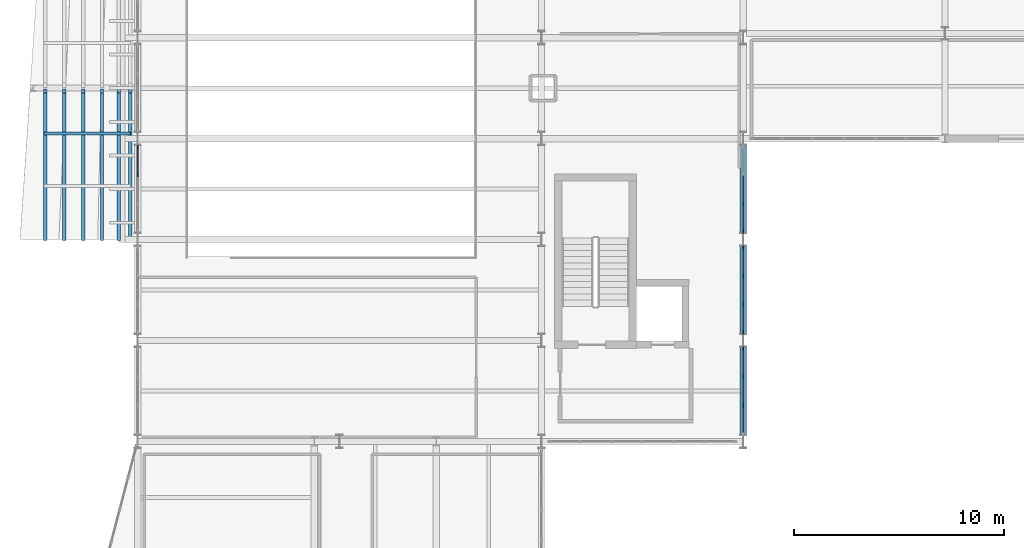
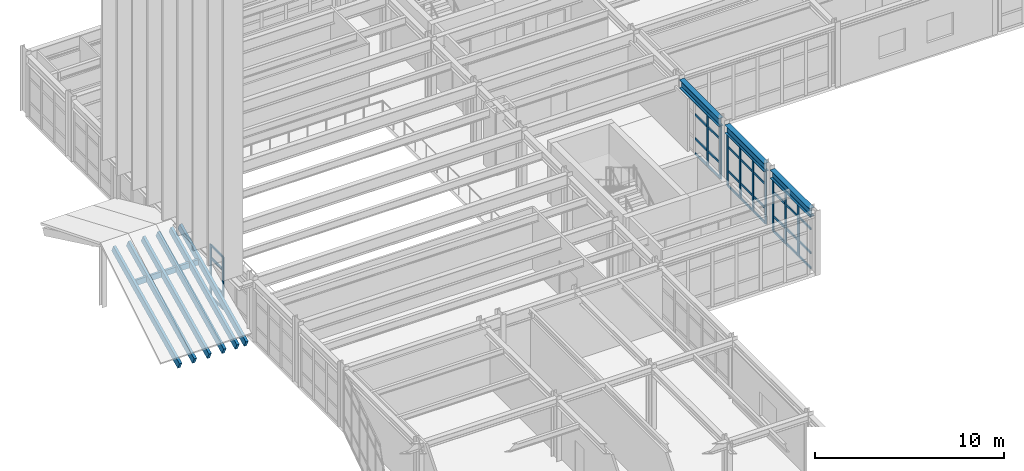
# One storey, part 41 of 99: 54 members, 3 beams, 4 elements without a shape of their own.
"""IFC4 building model written with IfcOpenShell, lengths in metres."""

from ifc_helpers import new_model, si_unit, direction, frame, origin, origin_2d, place, context, subcontext, project, spatial, rectangle, i_section, extrude, material, layer, layer_set, material_profile, profile_set, type_object, element, aggregate, save


model = new_model("IFC4")

# Units and contexts
model_context = context("Model", 3, precision=1e-05, world=origin(), true_north=direction((0.0, 1.0)))
body_context = subcontext(model_context, "Body", "Model", "MODEL_VIEW")
ifc_project = project(units=[si_unit("LENGTHUNIT", "METRE"), si_unit("AREAUNIT", "SQUARE_METRE"), si_unit("VOLUMEUNIT", "CUBIC_METRE"), si_unit("PLANEANGLEUNIT", "RADIAN"), si_unit("MASSUNIT", "GRAM", prefix="KILO")], contexts=[model_context])

# Site, building, storey
site_placement = place(None, origin())
site = spatial("IfcSite", under=ifc_project, at=site_placement, CompositionType="ELEMENT")
building_placement = place(site_placement, origin())
building = spatial("IfcBuilding", under=site, at=building_placement, Name="Nordkorset Police Headquarters", CompositionType="ELEMENT")
storey_placement = place(building_placement, frame((0.0, 0.0, 5.25)))
storey = spatial("IfcBuildingStorey", under=building, at=storey_placement, Name="L01", CompositionType="ELEMENT", Elevation=5.25)

# Curtain wall, members
ifc_material_1 = material(Name="Aluminium alloy AW-6060", Category="aluminium")
ifc_layer = layer(ifc_material_1, 0.179931640625, Name="Aluminium alloy AW-6060")
ifc_layer_set = layer_set([ifc_layer], Name="Aluminium alloy AW-6060")
curtain_wall_type = type_object("IfcCurtainWallType", Name="CW_Unit_408x340", PredefinedType="USERDEFINED", material=ifc_layer_set)
curtain_wall_1_placement = place(storey_placement, origin())
curtain_wall_1 = element("IfcCurtainWall", 1, at=curtain_wall_1_placement, inside=storey, type_object=curtain_wall_type, Name="Unitised Curtain Wall L01 V1W-2", ObjectType="UNITISED CURTAIN WALL", PredefinedType="USERDEFINED")
ifc_material_2 = material(Name="Aluminium alloy AW-6060", Category="aluminium")
ifc_material_profile_1 = material_profile(ifc_material_2, rectangle(XDim=0.06494140625, YDim=0.179931640625, at=origin_2d()), Name="ALU MULL 65x180")
ifc_profile_set_1 = profile_set([ifc_material_profile_1], Name="Aluminium alloy AW-6060")
member_type_1 = type_object("IfcMemberType", Name="CW_Mullion_65x180", PredefinedType="MULLION", material=ifc_profile_set_1)
member_1_placement = place(storey_placement, frame((0.0, 95.8798828125, 0.0), z_axis=(0.0, 0.0, 1.0), x_axis=(-1.0, 0.0, 0.0)))
member_1 = element("IfcMember", 2, at=member_1_placement, type_object=member_type_1, Name="CW-75 mullion 3", PredefinedType="MULLION", context=body_context, shape_type="SweptSolid", body=[
    extrude(rectangle(XDim=0.06494140625, YDim=0.179931640625, at=origin_2d()), origin(), (0.0, 0.0, 1.0), 3.39990234375),
])
member_2_placement = place(storey_placement, frame((0.0, 97.20751953125, 0.0), z_axis=(0.0, 0.0, 1.0), x_axis=(-1.0, 0.0, 0.0)))
member_2 = element("IfcMember", 3, at=member_2_placement, type_object=member_type_1, Name="CW-75 mullion 4", PredefinedType="MULLION", context=body_context, shape_type="SweptSolid", body=[
    extrude(rectangle(XDim=0.06494140625, YDim=0.179931640625, at=origin_2d()), origin(), (0.0, 0.0, 1.0), 3.39990234375),
])

curtain_wall_2_placement = place(storey_placement, origin())
curtain_wall_2 = element("IfcCurtainWall", 4, at=curtain_wall_2_placement, inside=storey, type_object=curtain_wall_type, Name="Unitised Curtain Wall L01 V1E-0", ObjectType="UNITISED CURTAIN WALL", PredefinedType="USERDEFINED")
member_3_placement = place(storey_placement, frame((28.800048828125, 84.919921875, 0.0), z_axis=(0.0, 0.0, 1.0), x_axis=(-1.0, 0.0, 0.0)))
member_3 = element("IfcMember", 5, at=member_3_placement, type_object=member_type_1, Name="CW-75 mullion 2", PredefinedType="MULLION", context=body_context, shape_type="SweptSolid", body=[
    extrude(rectangle(XDim=0.06494140625, YDim=0.179931640625, at=origin_2d()), origin(), (0.0, 0.0, 1.0), 3.39990234375),
])
member_4_placement = place(storey_placement, frame((28.800048828125, 86.280029296875, 0.0), z_axis=(0.0, 0.0, 1.0), x_axis=(-1.0, 0.0, 0.0)))
member_4 = element("IfcMember", 6, at=member_4_placement, type_object=member_type_1, Name="CW-75 mullion 3", PredefinedType="MULLION", context=body_context, shape_type="SweptSolid", body=[
    extrude(rectangle(XDim=0.06494140625, YDim=0.179931640625, at=origin_2d()), origin(), (0.0, 0.0, 1.0), 3.39990234375),
])
member_5_placement = place(storey_placement, frame((28.800048828125, 87.607421875, 0.0), z_axis=(0.0, 0.0, 1.0), x_axis=(-1.0, 0.0, 0.0)))
member_5 = element("IfcMember", 7, at=member_5_placement, type_object=member_type_1, Name="CW-75 mullion 4", PredefinedType="MULLION", context=body_context, shape_type="SweptSolid", body=[
    extrude(rectangle(XDim=0.06494140625, YDim=0.179931640625, at=origin_2d()), origin(), (0.0, 0.0, 1.0), 3.39990234375),
])

curtain_wall_3_placement = place(storey_placement, origin())
curtain_wall_3 = element("IfcCurtainWall", 8, at=curtain_wall_3_placement, inside=storey, type_object=curtain_wall_type, Name="Unitised Curtain Wall L01 V1E-1", ObjectType="UNITISED CURTAIN WALL", PredefinedType="USERDEFINED")
member_6_placement = place(storey_placement, frame((28.800048828125, 88.392578125, 0.0), z_axis=(0.0, 0.0, 1.0), x_axis=(-1.0, 0.0, 0.0)))
member_6 = element("IfcMember", 9, at=member_6_placement, type_object=member_type_1, Name="CW-75 mullion 1", PredefinedType="MULLION", context=body_context, shape_type="SweptSolid", body=[
    extrude(rectangle(XDim=0.06494140625, YDim=0.179931640625, at=origin_2d()), origin(), (0.0, 0.0, 1.0), 3.39990234375),
])
member_7_placement = place(storey_placement, frame((28.800048828125, 89.719970703125, 0.0), z_axis=(0.0, 0.0, 1.0), x_axis=(-1.0, 0.0, 0.0)))
member_7 = element("IfcMember", 10, at=member_7_placement, type_object=member_type_1, Name="CW-75 mullion 2", PredefinedType="MULLION", context=body_context, shape_type="SweptSolid", body=[
    extrude(rectangle(XDim=0.06494140625, YDim=0.179931640625, at=origin_2d()), origin(), (0.0, 0.0, 1.0), 3.39990234375),
])
member_8_placement = place(storey_placement, frame((28.800048828125, 91.080078125, 0.0), z_axis=(0.0, 0.0, 1.0), x_axis=(-1.0, 0.0, 0.0)))
member_8 = element("IfcMember", 11, at=member_8_placement, type_object=member_type_1, Name="CW-75 mullion 3", PredefinedType="MULLION", context=body_context, shape_type="SweptSolid", body=[
    extrude(rectangle(XDim=0.06494140625, YDim=0.179931640625, at=origin_2d()), origin(), (0.0, 0.0, 1.0), 3.39990234375),
])
member_9_placement = place(storey_placement, frame((28.800048828125, 92.407470703125, 0.0), z_axis=(0.0, 0.0, 1.0), x_axis=(-1.0, 0.0, 0.0)))
member_9 = element("IfcMember", 12, at=member_9_placement, type_object=member_type_1, Name="CW-75 mullion 4", PredefinedType="MULLION", context=body_context, shape_type="SweptSolid", body=[
    extrude(rectangle(XDim=0.06494140625, YDim=0.179931640625, at=origin_2d()), origin(), (0.0, 0.0, 1.0), 3.39990234375),
])

curtain_wall_4_placement = place(storey_placement, origin())
curtain_wall_4 = element("IfcCurtainWall", 13, at=curtain_wall_4_placement, inside=storey, type_object=curtain_wall_type, Name="Unitised Curtain Wall L01 V1E-2", ObjectType="UNITISED CURTAIN WALL", PredefinedType="USERDEFINED")
member_10_placement = place(storey_placement, frame((28.800048828125, 93.1923828125, 0.0), z_axis=(0.0, 0.0, 1.0), x_axis=(-1.0, 0.0, 0.0)))
member_10 = element("IfcMember", 14, at=member_10_placement, type_object=member_type_1, Name="CW-75 mullion 1", PredefinedType="MULLION", context=body_context, shape_type="SweptSolid", body=[
    extrude(rectangle(XDim=0.06494140625, YDim=0.179931640625, at=origin_2d()), origin(), (0.0, 0.0, 1.0), 3.39990234375),
])
member_11_placement = place(storey_placement, frame((28.800048828125, 94.52001953125, 0.0), z_axis=(0.0, 0.0, 1.0), x_axis=(-1.0, 0.0, 0.0)))
member_11 = element("IfcMember", 15, at=member_11_placement, type_object=member_type_1, Name="CW-75 mullion 2", PredefinedType="MULLION", context=body_context, shape_type="SweptSolid", body=[
    extrude(rectangle(XDim=0.06494140625, YDim=0.179931640625, at=origin_2d()), origin(), (0.0, 0.0, 1.0), 3.39990234375),
])

# Member
ifc_material_3 = material(Name="Aluminium alloy AW-6060", Category="aluminium")
ifc_material_profile_2 = material_profile(ifc_material_3, rectangle(XDim=0.06494140625, YDim=0.139892578125, at=origin_2d()), Name="ALU TRAN 65x140")
ifc_profile_set_2 = profile_set([ifc_material_profile_2], Name="Aluminium alloy AW-6060")
member_type_2 = type_object("IfcMemberType", Name="CW_Transom_65x140", PredefinedType="USERDEFINED", material=ifc_profile_set_2)
member_12_placement = place(storey_placement, frame((0.0, 95.91259765625, 0.032470703125), z_axis=(0.0, 1.0, 0.0), x_axis=(-1.0, 0.0, 0.0)))
member_12 = element("IfcMember", 16, at=member_12_placement, type_object=member_type_2, Name="CW-75 transom 3.1", ObjectType="TRANSOM", PredefinedType="USERDEFINED", context=body_context, shape_type="SweptSolid", body=[
    extrude(rectangle(XDim=0.06494140625, YDim=0.139892578125, at=origin_2d()), origin(), (0.0, 0.0, 1.0), 1.262451171875),
])

member_13_placement = place(storey_placement, frame((0.0, 95.91259765625, 1.0), z_axis=(0.0, 1.0, 0.0), x_axis=(-1.0, 0.0, 0.0)))
member_13 = element("IfcMember", 17, at=member_13_placement, type_object=member_type_2, Name="CW-75 transom 3.2", ObjectType="TRANSOM", PredefinedType="USERDEFINED", context=body_context, shape_type="SweptSolid", body=[
    extrude(rectangle(XDim=0.06494140625, YDim=0.139892578125, at=origin_2d()), origin(), (0.0, 0.0, 1.0), 1.262451171875),
])

member_14_placement = place(storey_placement, frame((0.0, 95.91259765625, 2.550048828125), z_axis=(0.0, 1.0, 0.0), x_axis=(-1.0, 0.0, 0.0)))
member_14 = element("IfcMember", 18, at=member_14_placement, type_object=member_type_2, Name="CW-75 transom 3.3", ObjectType="TRANSOM", PredefinedType="USERDEFINED", context=body_context, shape_type="SweptSolid", body=[
    extrude(rectangle(XDim=0.06494140625, YDim=0.139892578125, at=origin_2d()), origin(), (0.0, 0.0, 1.0), 1.262451171875),
])

member_15_placement = place(storey_placement, frame((0.0, 95.91259765625, 3.367431640625), z_axis=(0.0, 1.0, 0.0), x_axis=(-1.0, 0.0, 0.0)))
member_15 = element("IfcMember", 19, at=member_15_placement, type_object=member_type_2, Name="CW-75 transom 3.4", ObjectType="TRANSOM", PredefinedType="USERDEFINED", context=body_context, shape_type="SweptSolid", body=[
    extrude(rectangle(XDim=0.06494140625, YDim=0.139892578125, at=origin_2d()), origin(), (0.0, 0.0, 1.0), 1.262451171875),
])

aggregate(curtain_wall_1, [member_1, member_2, member_12, member_13, member_14, member_15])

member_16_placement = place(storey_placement, frame((28.800048828125, 83.625, 0.032470703125), z_axis=(0.0, 1.0, 0.0), x_axis=(-1.0, 0.0, 0.0)))
member_16 = element("IfcMember", 20, at=member_16_placement, type_object=member_type_2, Name="CW-75 transom 1.1", ObjectType="TRANSOM", PredefinedType="USERDEFINED", context=body_context, shape_type="SweptSolid", body=[
    extrude(rectangle(XDim=0.06494140625, YDim=0.139892578125, at=origin_2d()), origin(), (0.0, 0.0, 1.0), 1.262451171875),
])

member_17_placement = place(storey_placement, frame((28.800048828125, 83.625, 1.0), z_axis=(0.0, 1.0, 0.0), x_axis=(-1.0, 0.0, 0.0)))
member_17 = element("IfcMember", 21, at=member_17_placement, type_object=member_type_2, Name="CW-75 transom 1.2", ObjectType="TRANSOM", PredefinedType="USERDEFINED", context=body_context, shape_type="SweptSolid", body=[
    extrude(rectangle(XDim=0.06494140625, YDim=0.139892578125, at=origin_2d()), origin(), (0.0, 0.0, 1.0), 1.262451171875),
])

member_18_placement = place(storey_placement, frame((28.800048828125, 83.625, 2.550048828125), z_axis=(0.0, 1.0, 0.0), x_axis=(-1.0, 0.0, 0.0)))
member_18 = element("IfcMember", 22, at=member_18_placement, type_object=member_type_2, Name="CW-75 transom 1.3", ObjectType="TRANSOM", PredefinedType="USERDEFINED", context=body_context, shape_type="SweptSolid", body=[
    extrude(rectangle(XDim=0.06494140625, YDim=0.139892578125, at=origin_2d()), origin(), (0.0, 0.0, 1.0), 1.262451171875),
])

member_19_placement = place(storey_placement, frame((28.800048828125, 83.625, 3.367431640625), z_axis=(0.0, 1.0, 0.0), x_axis=(-1.0, 0.0, 0.0)))
member_19 = element("IfcMember", 23, at=member_19_placement, type_object=member_type_2, Name="CW-75 transom 1.4", ObjectType="TRANSOM", PredefinedType="USERDEFINED", context=body_context, shape_type="SweptSolid", body=[
    extrude(rectangle(XDim=0.06494140625, YDim=0.139892578125, at=origin_2d()), origin(), (0.0, 0.0, 1.0), 1.262451171875),
])

member_20_placement = place(storey_placement, frame((28.800048828125, 84.952392578125, 0.032470703125), z_axis=(0.0, 1.0, 0.0), x_axis=(-1.0, 0.0, 0.0)))
member_20 = element("IfcMember", 24, at=member_20_placement, type_object=member_type_2, Name="CW-75 transom 2.1", ObjectType="TRANSOM", PredefinedType="USERDEFINED", context=body_context, shape_type="SweptSolid", body=[
    extrude(rectangle(XDim=0.06494140625, YDim=0.139892578125, at=origin_2d()), origin(), (0.0, 0.0, 1.0), 1.295166015625),
])

member_21_placement = place(storey_placement, frame((28.800048828125, 84.952392578125, 1.0), z_axis=(0.0, 1.0, 0.0), x_axis=(-1.0, 0.0, 0.0)))
member_21 = element("IfcMember", 25, at=member_21_placement, type_object=member_type_2, Name="CW-75 transom 2.2", ObjectType="TRANSOM", PredefinedType="USERDEFINED", context=body_context, shape_type="SweptSolid", body=[
    extrude(rectangle(XDim=0.06494140625, YDim=0.139892578125, at=origin_2d()), origin(), (0.0, 0.0, 1.0), 1.295166015625),
])

member_22_placement = place(storey_placement, frame((28.800048828125, 84.952392578125, 2.550048828125), z_axis=(0.0, 1.0, 0.0), x_axis=(-1.0, 0.0, 0.0)))
member_22 = element("IfcMember", 26, at=member_22_placement, type_object=member_type_2, Name="CW-75 transom 2.3", ObjectType="TRANSOM", PredefinedType="USERDEFINED", context=body_context, shape_type="SweptSolid", body=[
    extrude(rectangle(XDim=0.06494140625, YDim=0.139892578125, at=origin_2d()), origin(), (0.0, 0.0, 1.0), 1.295166015625),
])

member_23_placement = place(storey_placement, frame((28.800048828125, 84.952392578125, 3.367431640625), z_axis=(0.0, 1.0, 0.0), x_axis=(-1.0, 0.0, 0.0)))
member_23 = element("IfcMember", 27, at=member_23_placement, type_object=member_type_2, Name="CW-75 transom 2.4", ObjectType="TRANSOM", PredefinedType="USERDEFINED", context=body_context, shape_type="SweptSolid", body=[
    extrude(rectangle(XDim=0.06494140625, YDim=0.139892578125, at=origin_2d()), origin(), (0.0, 0.0, 1.0), 1.295166015625),
])

member_24_placement = place(storey_placement, frame((28.800048828125, 86.3125, 0.032470703125), z_axis=(0.0, 1.0, 0.0), x_axis=(-1.0, 0.0, 0.0)))
member_24 = element("IfcMember", 28, at=member_24_placement, type_object=member_type_2, Name="CW-75 transom 3.1", ObjectType="TRANSOM", PredefinedType="USERDEFINED", context=body_context, shape_type="SweptSolid", body=[
    extrude(rectangle(XDim=0.06494140625, YDim=0.139892578125, at=origin_2d()), origin(), (0.0, 0.0, 1.0), 1.262451171875),
])

member_25_placement = place(storey_placement, frame((28.800048828125, 86.3125, 1.0), z_axis=(0.0, 1.0, 0.0), x_axis=(-1.0, 0.0, 0.0)))
member_25 = element("IfcMember", 29, at=member_25_placement, type_object=member_type_2, Name="CW-75 transom 3.2", ObjectType="TRANSOM", PredefinedType="USERDEFINED", context=body_context, shape_type="SweptSolid", body=[
    extrude(rectangle(XDim=0.06494140625, YDim=0.139892578125, at=origin_2d()), origin(), (0.0, 0.0, 1.0), 1.262451171875),
])

member_26_placement = place(storey_placement, frame((28.800048828125, 86.3125, 2.550048828125), z_axis=(0.0, 1.0, 0.0), x_axis=(-1.0, 0.0, 0.0)))
member_26 = element("IfcMember", 30, at=member_26_placement, type_object=member_type_2, Name="CW-75 transom 3.3", ObjectType="TRANSOM", PredefinedType="USERDEFINED", context=body_context, shape_type="SweptSolid", body=[
    extrude(rectangle(XDim=0.06494140625, YDim=0.139892578125, at=origin_2d()), origin(), (0.0, 0.0, 1.0), 1.262451171875),
])

member_27_placement = place(storey_placement, frame((28.800048828125, 86.3125, 3.367431640625), z_axis=(0.0, 1.0, 0.0), x_axis=(-1.0, 0.0, 0.0)))
member_27 = element("IfcMember", 31, at=member_27_placement, type_object=member_type_2, Name="CW-75 transom 3.4", ObjectType="TRANSOM", PredefinedType="USERDEFINED", context=body_context, shape_type="SweptSolid", body=[
    extrude(rectangle(XDim=0.06494140625, YDim=0.139892578125, at=origin_2d()), origin(), (0.0, 0.0, 1.0), 1.262451171875),
])

aggregate(curtain_wall_2, [member_3, member_4, member_5, member_16, member_17, member_18, member_19, member_20, member_21, member_22, member_23, member_24, member_25, member_26, member_27])

member_28_placement = place(storey_placement, frame((28.800048828125, 88.425048828125, 0.032470703125), z_axis=(0.0, 1.0, 0.0), x_axis=(-1.0, 0.0, 0.0)))
member_28 = element("IfcMember", 32, at=member_28_placement, type_object=member_type_2, Name="CW-75 transom 1.1", ObjectType="TRANSOM", PredefinedType="USERDEFINED", context=body_context, shape_type="SweptSolid", body=[
    extrude(rectangle(XDim=0.06494140625, YDim=0.139892578125, at=origin_2d()), origin(), (0.0, 0.0, 1.0), 1.262451171875),
])

member_29_placement = place(storey_placement, frame((28.800048828125, 88.425048828125, 1.0), z_axis=(0.0, 1.0, 0.0), x_axis=(-1.0, 0.0, 0.0)))
member_29 = element("IfcMember", 33, at=member_29_placement, type_object=member_type_2, Name="CW-75 transom 1.2", ObjectType="TRANSOM", PredefinedType="USERDEFINED", context=body_context, shape_type="SweptSolid", body=[
    extrude(rectangle(XDim=0.06494140625, YDim=0.139892578125, at=origin_2d()), origin(), (0.0, 0.0, 1.0), 1.262451171875),
])

member_30_placement = place(storey_placement, frame((28.800048828125, 88.425048828125, 2.550048828125), z_axis=(0.0, 1.0, 0.0), x_axis=(-1.0, 0.0, 0.0)))
member_30 = element("IfcMember", 34, at=member_30_placement, type_object=member_type_2, Name="CW-75 transom 1.3", ObjectType="TRANSOM", PredefinedType="USERDEFINED", context=body_context, shape_type="SweptSolid", body=[
    extrude(rectangle(XDim=0.06494140625, YDim=0.139892578125, at=origin_2d()), origin(), (0.0, 0.0, 1.0), 1.262451171875),
])

member_31_placement = place(storey_placement, frame((28.800048828125, 88.425048828125, 3.367431640625), z_axis=(0.0, 1.0, 0.0), x_axis=(-1.0, 0.0, 0.0)))
member_31 = element("IfcMember", 35, at=member_31_placement, type_object=member_type_2, Name="CW-75 transom 1.4", ObjectType="TRANSOM", PredefinedType="USERDEFINED", context=body_context, shape_type="SweptSolid", body=[
    extrude(rectangle(XDim=0.06494140625, YDim=0.139892578125, at=origin_2d()), origin(), (0.0, 0.0, 1.0), 1.262451171875),
])

member_32_placement = place(storey_placement, frame((28.800048828125, 89.75244140625, 0.032470703125), z_axis=(0.0, 1.0, 0.0), x_axis=(-1.0, 0.0, 0.0)))
member_32 = element("IfcMember", 36, at=member_32_placement, type_object=member_type_2, Name="CW-75 transom 2.1", ObjectType="TRANSOM", PredefinedType="USERDEFINED", context=body_context, shape_type="SweptSolid", body=[
    extrude(rectangle(XDim=0.06494140625, YDim=0.139892578125, at=origin_2d()), origin(), (0.0, 0.0, 1.0), 1.295166015625),
])

member_33_placement = place(storey_placement, frame((28.800048828125, 89.75244140625, 1.0), z_axis=(0.0, 1.0, 0.0), x_axis=(-1.0, 0.0, 0.0)))
member_33 = element("IfcMember", 37, at=member_33_placement, type_object=member_type_2, Name="CW-75 transom 2.2", ObjectType="TRANSOM", PredefinedType="USERDEFINED", context=body_context, shape_type="SweptSolid", body=[
    extrude(rectangle(XDim=0.06494140625, YDim=0.139892578125, at=origin_2d()), origin(), (0.0, 0.0, 1.0), 1.295166015625),
])

member_34_placement = place(storey_placement, frame((28.800048828125, 89.75244140625, 2.550048828125), z_axis=(0.0, 1.0, 0.0), x_axis=(-1.0, 0.0, 0.0)))
member_34 = element("IfcMember", 38, at=member_34_placement, type_object=member_type_2, Name="CW-75 transom 2.3", ObjectType="TRANSOM", PredefinedType="USERDEFINED", context=body_context, shape_type="SweptSolid", body=[
    extrude(rectangle(XDim=0.06494140625, YDim=0.139892578125, at=origin_2d()), origin(), (0.0, 0.0, 1.0), 1.295166015625),
])

member_35_placement = place(storey_placement, frame((28.800048828125, 89.75244140625, 3.367431640625), z_axis=(0.0, 1.0, 0.0), x_axis=(-1.0, 0.0, 0.0)))
member_35 = element("IfcMember", 39, at=member_35_placement, type_object=member_type_2, Name="CW-75 transom 2.4", ObjectType="TRANSOM", PredefinedType="USERDEFINED", context=body_context, shape_type="SweptSolid", body=[
    extrude(rectangle(XDim=0.06494140625, YDim=0.139892578125, at=origin_2d()), origin(), (0.0, 0.0, 1.0), 1.295166015625),
])

member_36_placement = place(storey_placement, frame((28.800048828125, 91.112548828125, 0.032470703125), z_axis=(0.0, 1.0, 0.0), x_axis=(-1.0, 0.0, 0.0)))
member_36 = element("IfcMember", 40, at=member_36_placement, type_object=member_type_2, Name="CW-75 transom 3.1", ObjectType="TRANSOM", PredefinedType="USERDEFINED", context=body_context, shape_type="SweptSolid", body=[
    extrude(rectangle(XDim=0.06494140625, YDim=0.139892578125, at=origin_2d()), origin(), (0.0, 0.0, 1.0), 1.262451171875),
])

member_37_placement = place(storey_placement, frame((28.800048828125, 91.112548828125, 1.0), z_axis=(0.0, 1.0, 0.0), x_axis=(-1.0, 0.0, 0.0)))
member_37 = element("IfcMember", 41, at=member_37_placement, type_object=member_type_2, Name="CW-75 transom 3.2", ObjectType="TRANSOM", PredefinedType="USERDEFINED", context=body_context, shape_type="SweptSolid", body=[
    extrude(rectangle(XDim=0.06494140625, YDim=0.139892578125, at=origin_2d()), origin(), (0.0, 0.0, 1.0), 1.262451171875),
])

member_38_placement = place(storey_placement, frame((28.800048828125, 91.112548828125, 2.550048828125), z_axis=(0.0, 1.0, 0.0), x_axis=(-1.0, 0.0, 0.0)))
member_38 = element("IfcMember", 42, at=member_38_placement, type_object=member_type_2, Name="CW-75 transom 3.3", ObjectType="TRANSOM", PredefinedType="USERDEFINED", context=body_context, shape_type="SweptSolid", body=[
    extrude(rectangle(XDim=0.06494140625, YDim=0.139892578125, at=origin_2d()), origin(), (0.0, 0.0, 1.0), 1.262451171875),
])

member_39_placement = place(storey_placement, frame((28.800048828125, 91.112548828125, 3.367431640625), z_axis=(0.0, 1.0, 0.0), x_axis=(-1.0, 0.0, 0.0)))
member_39 = element("IfcMember", 43, at=member_39_placement, type_object=member_type_2, Name="CW-75 transom 3.4", ObjectType="TRANSOM", PredefinedType="USERDEFINED", context=body_context, shape_type="SweptSolid", body=[
    extrude(rectangle(XDim=0.06494140625, YDim=0.139892578125, at=origin_2d()), origin(), (0.0, 0.0, 1.0), 1.262451171875),
])

aggregate(curtain_wall_3, [member_6, member_7, member_8, member_9, member_28, member_29, member_30, member_31, member_32, member_33, member_34, member_35, member_36, member_37, member_38, member_39])

member_40_placement = place(storey_placement, frame((28.800048828125, 93.22509765625, 0.032470703125), z_axis=(0.0, 1.0, 0.0), x_axis=(-1.0, 0.0, 0.0)))
member_40 = element("IfcMember", 44, at=member_40_placement, type_object=member_type_2, Name="CW-75 transom 1.1", ObjectType="TRANSOM", PredefinedType="USERDEFINED", context=body_context, shape_type="SweptSolid", body=[
    extrude(rectangle(XDim=0.06494140625, YDim=0.139892578125, at=origin_2d()), origin(), (0.0, 0.0, 1.0), 1.262451171875),
])

member_41_placement = place(storey_placement, frame((28.800048828125, 93.22509765625, 1.0), z_axis=(0.0, 1.0, 0.0), x_axis=(-1.0, 0.0, 0.0)))
member_41 = element("IfcMember", 45, at=member_41_placement, type_object=member_type_2, Name="CW-75 transom 1.2", ObjectType="TRANSOM", PredefinedType="USERDEFINED", context=body_context, shape_type="SweptSolid", body=[
    extrude(rectangle(XDim=0.06494140625, YDim=0.139892578125, at=origin_2d()), origin(), (0.0, 0.0, 1.0), 1.262451171875),
])

member_42_placement = place(storey_placement, frame((28.800048828125, 93.22509765625, 2.550048828125), z_axis=(0.0, 1.0, 0.0), x_axis=(-1.0, 0.0, 0.0)))
member_42 = element("IfcMember", 46, at=member_42_placement, type_object=member_type_2, Name="CW-75 transom 1.3", ObjectType="TRANSOM", PredefinedType="USERDEFINED", context=body_context, shape_type="SweptSolid", body=[
    extrude(rectangle(XDim=0.06494140625, YDim=0.139892578125, at=origin_2d()), origin(), (0.0, 0.0, 1.0), 1.262451171875),
])

member_43_placement = place(storey_placement, frame((28.800048828125, 93.22509765625, 3.367431640625), z_axis=(0.0, 1.0, 0.0), x_axis=(-1.0, 0.0, 0.0)))
member_43 = element("IfcMember", 47, at=member_43_placement, type_object=member_type_2, Name="CW-75 transom 1.4", ObjectType="TRANSOM", PredefinedType="USERDEFINED", context=body_context, shape_type="SweptSolid", body=[
    extrude(rectangle(XDim=0.06494140625, YDim=0.139892578125, at=origin_2d()), origin(), (0.0, 0.0, 1.0), 1.262451171875),
])

member_44_placement = place(storey_placement, frame((28.800048828125, 94.552490234375, 0.032470703125), z_axis=(0.0, 1.0, 0.0), x_axis=(-1.0, 0.0, 0.0)))
member_44 = element("IfcMember", 48, at=member_44_placement, type_object=member_type_2, Name="CW-75 transom 2.1", ObjectType="TRANSOM", PredefinedType="USERDEFINED", context=body_context, shape_type="SweptSolid", body=[
    extrude(rectangle(XDim=0.06494140625, YDim=0.139892578125, at=origin_2d()), origin(), (0.0, 0.0, 1.0), 1.294921875),
])

member_45_placement = place(storey_placement, frame((28.800048828125, 94.552490234375, 1.0), z_axis=(0.0, 1.0, 0.0), x_axis=(-1.0, 0.0, 0.0)))
member_45 = element("IfcMember", 49, at=member_45_placement, type_object=member_type_2, Name="CW-75 transom 2.2", ObjectType="TRANSOM", PredefinedType="USERDEFINED", context=body_context, shape_type="SweptSolid", body=[
    extrude(rectangle(XDim=0.06494140625, YDim=0.139892578125, at=origin_2d()), origin(), (0.0, 0.0, 1.0), 1.294921875),
])

member_46_placement = place(storey_placement, frame((28.800048828125, 94.552490234375, 2.550048828125), z_axis=(0.0, 1.0, 0.0), x_axis=(-1.0, 0.0, 0.0)))
member_46 = element("IfcMember", 50, at=member_46_placement, type_object=member_type_2, Name="CW-75 transom 2.3", ObjectType="TRANSOM", PredefinedType="USERDEFINED", context=body_context, shape_type="SweptSolid", body=[
    extrude(rectangle(XDim=0.06494140625, YDim=0.139892578125, at=origin_2d()), origin(), (0.0, 0.0, 1.0), 1.294921875),
])

member_47_placement = place(storey_placement, frame((28.800048828125, 94.552490234375, 3.367431640625), z_axis=(0.0, 1.0, 0.0), x_axis=(-1.0, 0.0, 0.0)))
member_47 = element("IfcMember", 51, at=member_47_placement, type_object=member_type_2, Name="CW-75 transom 2.4", ObjectType="TRANSOM", PredefinedType="USERDEFINED", context=body_context, shape_type="SweptSolid", body=[
    extrude(rectangle(XDim=0.06494140625, YDim=0.139892578125, at=origin_2d()), origin(), (0.0, 0.0, 1.0), 1.294921875),
])

aggregate(curtain_wall_4, [member_10, member_11, member_40, member_41, member_42, member_43, member_44, member_45, member_46, member_47])

# Beams
ifc_material_4 = material(Name="Steel S355J2", Category="steel")
ifc_material_profile_3 = material_profile(ifc_material_4, i_section(OverallWidth=0.300048828125, OverallDepth=0.5400390625, WebThickness=0.012451171875, FlangeThickness=0.02392578125, FilletRadius=0.027099609375, at=origin_2d()), Name="HEA 550")
ifc_profile_set_3 = profile_set([ifc_material_profile_3], Name="Steel S355J2")
beam_type = type_object("IfcBeamType", Name="Girder_HEA_550", PredefinedType="USERDEFINED", material=ifc_profile_set_3)
for number, where, z_axis, x_axis, name in (
    (52, (28.800048828125, 83.52490234375, 3.68994140625), (0.0, 1.0, 0.0), (-1.0, 0.0, 0.0), "Girder V1 L01 GY-2-0"),
    (53, (28.800048828125, 88.324951171875, 3.68994140625), (0.0, 1.0, 0.0), (-1.0, 0.0, 0.0), "Girder V1 L01 GY-2-1"),
):
    element("IfcBeam", number, at=place(storey_placement, frame(where, z_axis=z_axis, x_axis=x_axis)), inside=storey, type_object=beam_type, Name=name, ObjectType="GIRDER", PredefinedType="USERDEFINED", context=body_context, shape_type="SweptSolid", body=[
        extrude(i_section(OverallWidth=0.300048828125, OverallDepth=0.5400390625, WebThickness=0.012451171875, FlangeThickness=0.02392578125, FilletRadius=0.027099609375, at=origin_2d()), origin(), (0.0, 0.0, 1.0), 4.150146484375),
    ])
beam_placement = place(storey_placement, frame((28.800048828125, 93.125, 3.68994140625), z_axis=(0.0, 1.0, 0.0), x_axis=(-1.0, 0.0, 0.0)))
element("IfcBeam", 54, at=beam_placement, inside=storey, type_object=beam_type, Name="Girder V1 L01 GY-2-2", ObjectType="GIRDER", PredefinedType="USERDEFINED", context=body_context, shape_type="SweptSolid", body=[
    extrude(i_section(OverallWidth=0.300048828125, OverallDepth=0.5400390625, WebThickness=0.012451171875, FlangeThickness=0.02392578125, FilletRadius=0.027099609375, at=origin_2d()), origin(), (0.0, 0.0, 1.0), 4.14990234375),
])

# Members
ifc_material_5 = material(Name="Glulam GL30c", Category="wood")
ifc_material_profile_4 = material_profile(ifc_material_5, rectangle(XDim=0.139892578125, YDim=0.360107421875, at=origin_2d()), Name="GL30c 140x360")
ifc_profile_set_4 = profile_set([ifc_material_profile_4], Name="Glulam GL30c")
member_type_3 = type_object("IfcMemberType", Name="Purlin_GL30c_140x360", PredefinedType="PURLIN", material=ifc_profile_set_4)
member_48_placement = place(storey_placement, frame((-4.449951171875, 97.85498046875, 2.034912109375), z_axis=(1.0, 0.0, 0.0), x_axis=(0.0, 1.0, 0.0)))
element("IfcMember", 55, at=member_48_placement, inside=storey, type_object=member_type_3, Name="Entrance Canopy Glulam Soffit Purlin S-2", PredefinedType="PURLIN", context=body_context, shape_type="SweptSolid", body=[
    extrude(rectangle(XDim=0.139892578125, YDim=0.360107421875, at=origin_2d()), origin(), (0.0, 0.0, 1.0), 4.099853515625),
])
ifc_material_6 = material(Name="Glulam GL30c", Category="wood")
ifc_material_profile_5 = material_profile(ifc_material_6, rectangle(XDim=0.159912109375, YDim=0.449951171875, at=origin_2d()), Name="GL30c 160x450")
ifc_profile_set_5 = profile_set([ifc_material_profile_5], Name="Glulam GL30c")
member_type_4 = type_object("IfcMemberType", Name="Rafter_GL30c_160x450", PredefinedType="RAFTER", material=ifc_profile_set_5)
for number, where, z_axis, x_axis, name in (
    (56, (-4.39990234375, 92.85009765625, -0.25), (0.0, 0.902260215171, 0.431191957391), (-1.0, 0.0, 0.0), "Entrance Canopy Glulam Soffit Rib S"),
    (57, (-3.5, 92.85009765625, -0.25), (0.0, 0.902260215171, 0.431191957391), (-1.0, 0.0, 0.0), "Entrance Canopy Glulam Soffit Rib S"),
    (58, (-2.60009765625, 92.85009765625, -0.25), (0.0, 0.902260215171, 0.431191957391), (-1.0, 0.0, 0.0), "Entrance Canopy Glulam Soffit Rib S"),
    (59, (-1.699951171875, 92.85009765625, -0.25), (0.0, 0.902260215171, 0.431191957391), (-1.0, 0.0, 0.0), "Entrance Canopy Glulam Soffit Rib S"),
    (60, (-0.89990234375, 92.85009765625, -0.25), (0.0, 0.902260215171, 0.431191957391), (-1.0, 0.0, 0.0), "Entrance Canopy Glulam Soffit Rib S"),
    (61, (-0.35009765625, 92.85009765625, -0.25), (0.0, 0.902260215171, 0.431191957391), (-1.0, 0.0, 0.0), "Entrance Canopy Glulam Soffit Rib S"),
):
    element("IfcMember", number, at=place(storey_placement, frame(where, z_axis=z_axis, x_axis=x_axis)), inside=storey, type_object=member_type_4, Name=name, PredefinedType="RAFTER", context=body_context, shape_type="SweptSolid", body=[
        extrude(rectangle(XDim=0.159912109375, YDim=0.449951171875, at=origin_2d()), origin(), (0.0, 0.0, 1.0), 7.769287109375),
    ])

save(model, "model.ifc")
